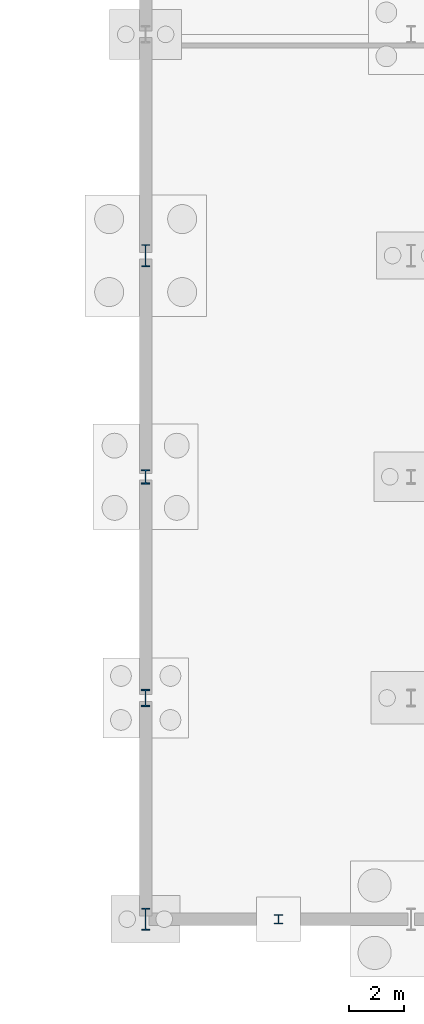
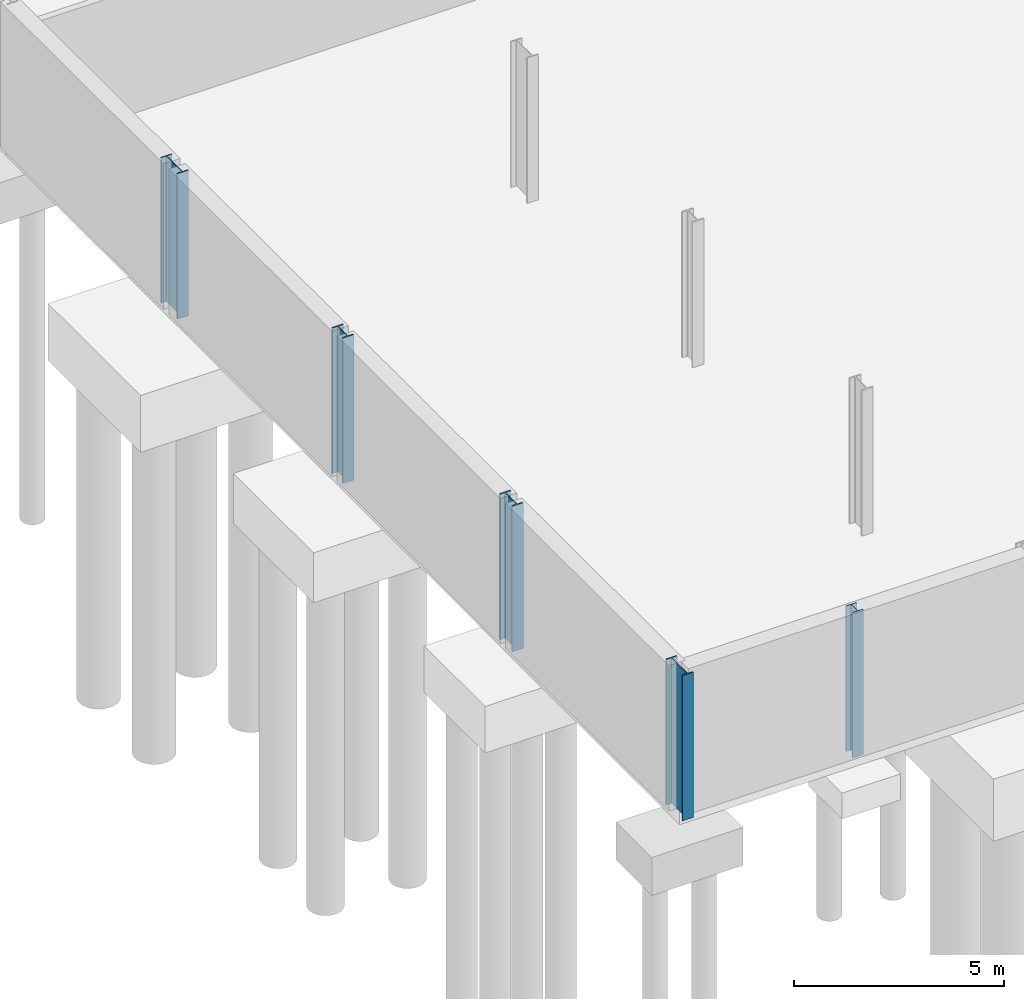
# One storey, part 8 of 47: 5 columns.
"""IFC4 building model written with IfcOpenShell, lengths in metres."""

from ifc_helpers import new_model, si_unit, direction, frame, origin, origin_2d, place, context, subcontext, project, spatial, i_section, extrude, material, material_profile, profile_set, type_object, element, save


model = new_model("IFC4")

# Units and contexts
model_context = context("Model", 3, precision=1e-05, world=origin(), true_north=direction((0.0, 1.0)))
body_context = subcontext(model_context, "Body", "Model", "MODEL_VIEW")
ifc_project = project(units=[si_unit("LENGTHUNIT", "METRE"), si_unit("AREAUNIT", "SQUARE_METRE"), si_unit("VOLUMEUNIT", "CUBIC_METRE"), si_unit("PLANEANGLEUNIT", "RADIAN"), si_unit("MASSUNIT", "GRAM", prefix="KILO")], contexts=[model_context])

# Site, building, storey
site_placement = place(None, origin())
site = spatial("IfcSite", under=ifc_project, at=site_placement, CompositionType="ELEMENT")
building_placement = place(site_placement, origin())
building = spatial("IfcBuilding", under=site, at=building_placement, Name="Alderhovde Museum", CompositionType="ELEMENT")
storey_placement = place(building_placement, frame((0.0, 0.0, -4.5)))
storey = spatial("IfcBuildingStorey", under=building, at=storey_placement, Name="B1", CompositionType="ELEMENT", Elevation=-4.5)

# Columns
ifc_material_1 = material(Name="Steel S355J2", Category="steel")
ifc_material_profile_1 = material_profile(ifc_material_1, i_section(OverallWidth=0.300048828125, OverallDepth=0.800048828125, WebThickness=0.017578125, FlangeThickness=0.032958984375, FilletRadius=0.030029296875, at=origin_2d()), Name="HEB 800")
ifc_profile_set_1 = profile_set([ifc_material_profile_1], Name="Steel S355J2")
column_type_1 = type_object("IfcColumnType", Name="COL-HEB800", PredefinedType="COLUMN", material=ifc_profile_set_1)
for number, where, z_axis, x_axis, name in (
    (1, (67.199951171875, 0.0, 0.0), (0.0, 0.0, 1.0), (1.0, 0.0, 0.0), "B1 Column (67.2, 0.0)"),
    (2, (67.199951171875, 24.0, 0.0), (0.0, 0.0, 1.0), (1.0, 0.0, 0.0), "B1 Column (67.2, 24.0)"),
):
    element("IfcColumn", number, at=place(storey_placement, frame(where, z_axis=z_axis, x_axis=x_axis)), inside=storey, type_object=column_type_1, Name=name, PredefinedType="COLUMN", context=body_context, shape_type="SweptSolid", body=[
        extrude(i_section(OverallWidth=0.300048828125, OverallDepth=0.800048828125, WebThickness=0.017578125, FlangeThickness=0.032958984375, FilletRadius=0.030029296875, at=origin_2d()), origin(), (0.0, 0.0, 1.0), 4.219970703125),
    ])
ifc_material_2 = material(Name="Steel S355J2", Category="steel")
ifc_material_profile_2 = material_profile(ifc_material_2, i_section(OverallWidth=0.305908203125, OverallDepth=0.52392578125, WebThickness=0.02099609375, FlangeThickness=0.0400390625, FilletRadius=0.027099609375, at=origin_2d()), Name="HEM 500")
ifc_profile_set_2 = profile_set([ifc_material_profile_2], Name="Steel S355J2")
column_type_2 = type_object("IfcColumnType", Name="COL-HEM500", PredefinedType="COLUMN", material=ifc_profile_set_2)
column_1_placement = place(storey_placement, frame((67.199951171875, 16.0, 0.0), z_axis=(0.0, 0.0, 1.0), x_axis=(1.0, 0.0, 0.0)))
element("IfcColumn", 3, at=column_1_placement, inside=storey, type_object=column_type_2, Name="B1 Column (67.2, 16.0)", PredefinedType="COLUMN", context=body_context, shape_type="SweptSolid", body=[
    extrude(i_section(OverallWidth=0.305908203125, OverallDepth=0.52392578125, WebThickness=0.02099609375, FlangeThickness=0.0400390625, FilletRadius=0.027099609375, at=origin_2d()), origin(), (0.0, 0.0, 1.0), 4.219970703125),
])
ifc_material_3 = material(Name="Steel S355J2", Category="steel")
ifc_material_profile_3 = material_profile(ifc_material_3, i_section(OverallWidth=0.304931640625, OverallDepth=0.6201171875, WebThickness=0.02099609375, FlangeThickness=0.0400390625, FilletRadius=0.027099609375, at=origin_2d()), Name="HEM 600")
ifc_profile_set_3 = profile_set([ifc_material_profile_3], Name="Steel S355J2")
column_type_3 = type_object("IfcColumnType", Name="COL-HEM600", PredefinedType="COLUMN", material=ifc_profile_set_3)
column_2_placement = place(storey_placement, frame((67.199951171875, 8.0, 0.0), z_axis=(0.0, 0.0, 1.0), x_axis=(1.0, 0.0, 0.0)))
element("IfcColumn", 4, at=column_2_placement, inside=storey, type_object=column_type_3, Name="B1 Column (67.2, 8.0)", PredefinedType="COLUMN", context=body_context, shape_type="SweptSolid", body=[
    extrude(i_section(OverallWidth=0.304931640625, OverallDepth=0.6201171875, WebThickness=0.02099609375, FlangeThickness=0.0400390625, FilletRadius=0.027099609375, at=origin_2d()), origin(), (0.0, 0.0, 1.0), 4.219970703125),
])
ifc_material_4 = material(Name="Steel S355J2", Category="steel")
ifc_material_profile_4 = material_profile(ifc_material_4, i_section(OverallWidth=0.300048828125, OverallDepth=0.330078125, WebThickness=0.009521484375, FlangeThickness=0.0166015625, FilletRadius=0.027099609375, at=origin_2d()), Name="HEA 340")
ifc_profile_set_4 = profile_set([ifc_material_profile_4], Name="Steel S355J2")
column_type_4 = type_object("IfcColumnType", Name="PIL-HEA340", PredefinedType="PILASTER", material=ifc_profile_set_4)
column_3_placement = place(storey_placement, frame((72.0, 0.0, 0.0), z_axis=(0.0, 0.0, 1.0), x_axis=(1.0, 0.0, 0.0)))
element("IfcColumn", 5, at=column_3_placement, inside=storey, type_object=column_type_4, Name="B1 Structural Pilaster (72.0, 0.0)", PredefinedType="PILASTER", context=body_context, shape_type="SweptSolid", body=[
    extrude(i_section(OverallWidth=0.300048828125, OverallDepth=0.330078125, WebThickness=0.009521484375, FlangeThickness=0.0166015625, FilletRadius=0.027099609375, at=origin_2d()), origin(), (0.0, 0.0, 1.0), 4.219970703125),
])

save(model, "model.ifc")
